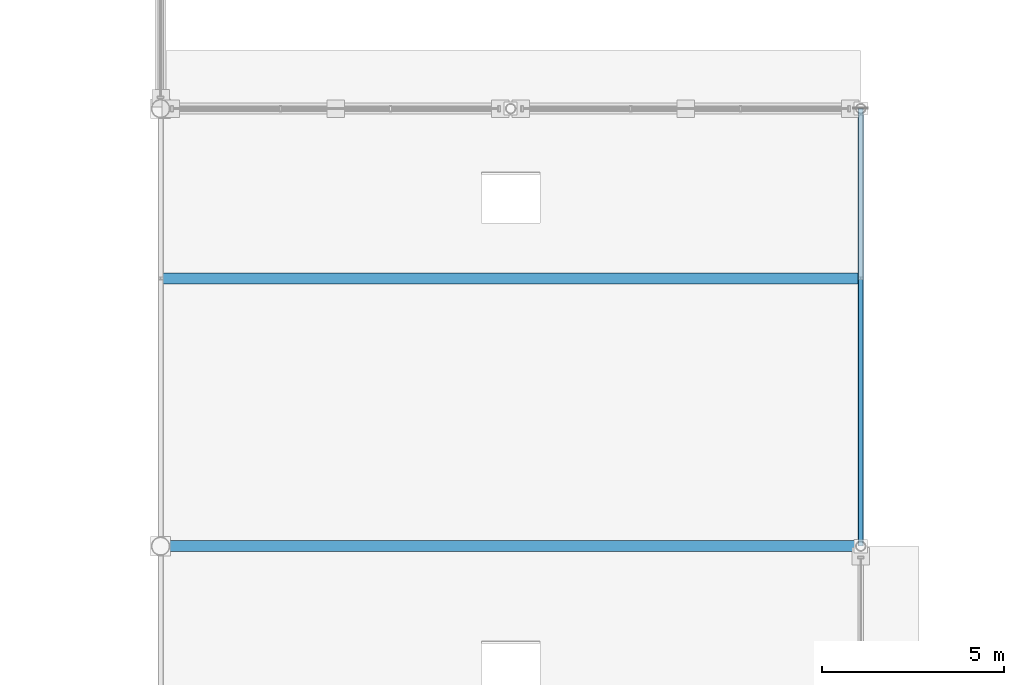
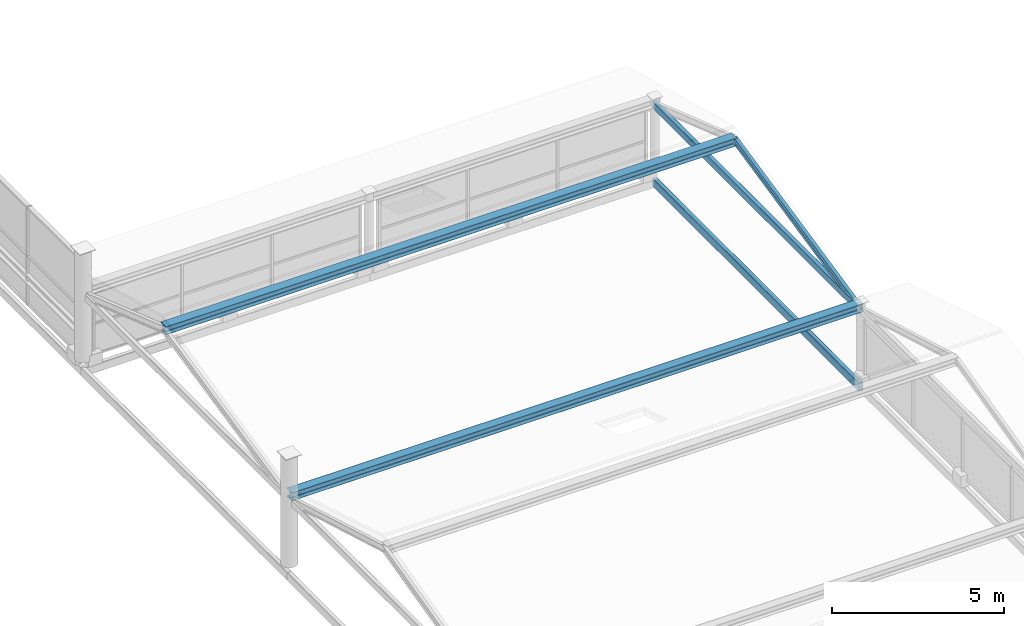
# One storey, part 70 of 117: 4 beams, 1 member.
"""IFC4 building model written with IfcOpenShell, lengths in metres."""

from ifc_helpers import new_model, si_unit, direction, frame, origin, origin_2d, place, context, subcontext, project, spatial, hollow_rectangle, i_section, extrude, material, material_profile, profile_set, type_object, element, save


model = new_model("IFC4")

# Units and contexts
model_context = context("Model", 3, precision=1e-05, world=origin(), true_north=direction((0.0, 1.0)))
body_context = subcontext(model_context, "Body", "Model", "MODEL_VIEW")
ifc_project = project(units=[si_unit("LENGTHUNIT", "METRE"), si_unit("AREAUNIT", "SQUARE_METRE"), si_unit("VOLUMEUNIT", "CUBIC_METRE"), si_unit("PLANEANGLEUNIT", "RADIAN"), si_unit("MASSUNIT", "GRAM", prefix="KILO")], contexts=[model_context])

# Site, building, storey
site_placement = place(None, origin())
site = spatial("IfcSite", under=ifc_project, at=site_placement, CompositionType="ELEMENT")
building_placement = place(site_placement, origin())
building = spatial("IfcBuilding", under=site, at=building_placement, Name="Merenkruunu Market Hall", CompositionType="ELEMENT")
storey_placement = place(building_placement, frame((0.0, 0.0, 10.199951171875)))
storey = spatial("IfcBuildingStorey", under=building, at=storey_placement, Name="L02", CompositionType="ELEMENT", Elevation=10.199951171875)

# Beams
ifc_material_1 = material(Name="Steel S355J2", Category="steel")
ifc_material_profile_1 = material_profile(ifc_material_1, hollow_rectangle(XDim=0.14990234375, YDim=0.300048828125, WallThickness=0.012451171875, InnerFilletRadius=0.012451171875, OuterFilletRadius=0.02490234375, at=origin_2d()), Name="RHS 300x150x12.5")
ifc_profile_set_1 = profile_set([ifc_material_profile_1], Name="Steel S355J2")
beam_type_1 = type_object("IfcBeamType", Name="Perimeter Spandrel Beam SP03", PredefinedType="SPANDREL", material=ifc_profile_set_1)
beam_1_placement = place(storey_placement, frame((76.800048828125, 87.60009765625, -0.4599609375), z_axis=(0.0, 1.0, 0.0), x_axis=(-1.0, 0.0, 0.0)))
element("IfcBeam", 1, at=beam_1_placement, inside=storey, type_object=beam_type_1, Name="BM-L02-SP03-1233", PredefinedType="SPANDREL", context=body_context, shape_type="SweptSolid", body=[
    extrude(hollow_rectangle(XDim=0.14990234375, YDim=0.300048828125, WallThickness=0.012451171875, InnerFilletRadius=0.012451171875, OuterFilletRadius=0.02490234375, at=origin_2d()), origin(), (0.0, 0.0, 1.0), 12.0),
])
ifc_material_profile_2 = material_profile(ifc_material_1, hollow_rectangle(XDim=0.14990234375, YDim=0.25, WallThickness=0.010009765625, InnerFilletRadius=0.010009765625, OuterFilletRadius=0.02001953125, at=origin_2d()), Name="RHS 250x150x10")
ifc_profile_set_2 = profile_set([ifc_material_profile_2], Name="Steel S355J2")
beam_type_2 = type_object("IfcBeamType", Name="Perimeter Spandrel Beam SP04", PredefinedType="SPANDREL", material=ifc_profile_set_2)
beam_2_placement = place(storey_placement, frame((76.800048828125, 87.60009765625, 2.295166015625), z_axis=(0.0, 1.0, 0.0), x_axis=(-1.0, 0.0, 0.0)))
element("IfcBeam", 2, at=beam_2_placement, inside=storey, type_object=beam_type_2, Name="BM-L02-SP04-1291", PredefinedType="SPANDREL", context=body_context, shape_type="SweptSolid", body=[
    extrude(hollow_rectangle(XDim=0.14990234375, YDim=0.25, WallThickness=0.010009765625, InnerFilletRadius=0.010009765625, OuterFilletRadius=0.02001953125, at=origin_2d()), origin(), (0.0, 0.0, 1.0), 12.0),
])
ifc_material_profile_3 = material_profile(ifc_material_1, i_section(OverallWidth=0.300048828125, OverallDepth=0.2900390625, WebThickness=0.008544921875, FlangeThickness=0.013916015625, FilletRadius=0.027099609375, at=origin_2d()), Name="HEA 300")
ifc_profile_set_3 = profile_set([ifc_material_profile_3], Name="Steel S355J2")
beam_type_3 = type_object("IfcBeamType", Name="Primary Floor Girder B09", PredefinedType="BEAM", material=ifc_profile_set_3)
for number, where, z_axis, x_axis, name in (
    (3, (57.60009765625, 87.60009765625, 2.43505859375), (1.0, 0.0, 0.0), (0.0, 1.0, 0.0), "BM-L02-B09-1306"),
    (4, (57.60009765625, 94.944091796875, 3.875), (1.0, 0.0, 0.0), (0.0, 1.0, 0.0), "BM-L02-B09-1307"),
):
    element("IfcBeam", number, at=place(storey_placement, frame(where, z_axis=z_axis, x_axis=x_axis)), inside=storey, type_object=beam_type_3, Name=name, PredefinedType="BEAM", context=body_context, shape_type="SweptSolid", body=[
        extrude(i_section(OverallWidth=0.300048828125, OverallDepth=0.2900390625, WebThickness=0.008544921875, FlangeThickness=0.013916015625, FilletRadius=0.027099609375, at=origin_2d()), origin(), (0.0, 0.0, 1.0), 19.199951171875),
    ])

# Member
ifc_material_2 = material(Name="Steel S355ML", Category="steel")
ifc_material_profile_4 = material_profile(ifc_material_2, i_section(OverallWidth=0.1201171875, OverallDepth=0.239990234375, WebThickness=0.006103515625, FlangeThickness=0.009765625, FilletRadius=0.014892578125, at=origin_2d()), Name="IPE 240")
ifc_profile_set_4 = profile_set([ifc_material_profile_4], Name="Steel S355ML")
member_type = type_object("IfcMemberType", Name="Roof Purlin Rafter PR02", PredefinedType="PURLIN", material=ifc_profile_set_4)
member_placement = place(storey_placement, frame((76.800048828125, 87.60009765625, 2.280029296875), z_axis=(0.0, 0.977077465091, 0.212884069885), x_axis=(-1.0, 0.0, 0.0)))
element("IfcMember", 5, at=member_placement, inside=storey, type_object=member_type, Name="MEM-V4-SAWR-027", PredefinedType="PURLIN", context=body_context, shape_type="SweptSolid", body=[
    extrude(i_section(OverallWidth=0.1201171875, OverallDepth=0.239990234375, WebThickness=0.006103515625, FlangeThickness=0.009765625, FilletRadius=0.014892578125, at=origin_2d()), origin(), (0.0, 0.0, 1.0), 7.516357421875),
])

save(model, "model.ifc")
